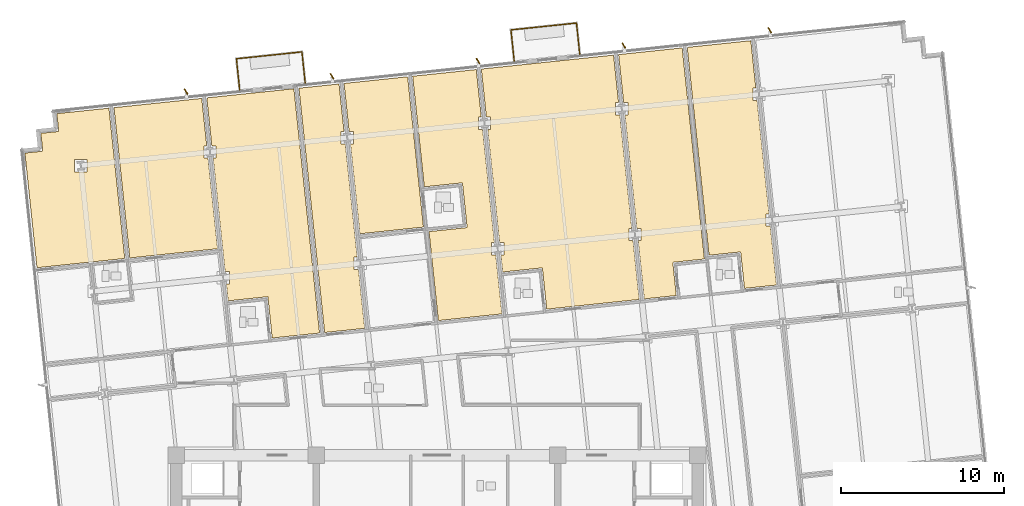
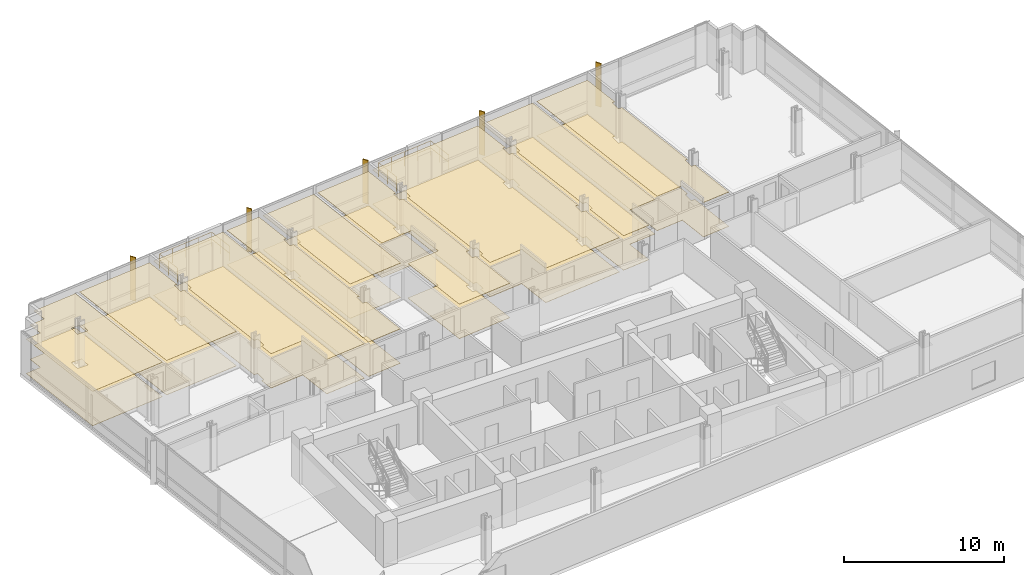
# One storey, part 18 of 20: 18 coverings, 6 railings, 5 shading devices.
"""IFC4 building model written with IfcOpenShell, lengths in metres."""

import ifcopenshell
import ifcopenshell.guid

model = None  # the IFC model being written
_history = None  # IfcOwnerHistory: only IFC2X3 demands one
_inside = {}  # id of a spatial element -> (the spatial element, [elements in it])
_under = {}  # id of a project, library or spatial element -> (it, [spatial elements below it])
_declared = {}  # id of a project -> (the project, [libraries it declares])
_typed = {}  # id of a type object -> (the type object, [elements of that type])
_made_of = {}  # id of a material, layer set ... -> (it, [elements and type objects made of it])


def new_model(schema):
    """Start an empty IFC model of exactly this schema.

    Asked for "IFC4X3", IfcOpenShell would pick the latest addendum, in which some entities
    have other attributes; the version numbers below select the first issue.
    IFC2X3 requires an IfcOwnerHistory on every rooted entity: one is made here for all.
    """
    global model, _history
    if schema == "IFC4X3":
        model = ifcopenshell.file(schema_version=(4, 3, 0, 0))
    else:
        model = ifcopenshell.file(schema=schema)
    _inside.clear()
    _under.clear()
    _declared.clear()
    _typed.clear()
    _made_of.clear()
    _history = None
    if model.schema == "IFC2X3":
        org = make("IfcOrganization", Name="unknown")
        user = make(
            "IfcPersonAndOrganization",
            ThePerson=make("IfcPerson", FamilyName="unknown"),
            TheOrganization=org,
        )
        app = make(
            "IfcApplication",
            ApplicationDeveloper=org,
            Version="unknown",
            ApplicationFullName="unknown",
            ApplicationIdentifier="unknown",
        )
        _history = make(
            "IfcOwnerHistory",
            OwningUser=user,
            OwningApplication=app,
            ChangeAction="ADDED",
            CreationDate=0,
        )
    return model


def make(cls, **values):
    """One entity of the class cls with the attributes given. An attribute that is None is left unset."""
    return model.create_entity(
        cls, **{name: value for name, value in values.items() if value is not None}
    )


def rooted(cls, **values):
    """An entity with a GlobalId (a new one), such as an element, a storey or a relation."""
    return make(cls, GlobalId=ifcopenshell.guid.new(), OwnerHistory=_history, **values)


def si_unit(unit_type, name, prefix=None):
    """IfcSIUnit, for example si_unit("LENGTHUNIT", "METRE", prefix="MILLI")."""
    return make("IfcSIUnit", UnitType=unit_type, Prefix=prefix, Name=name)


def assignment(units):
    """IfcUnitAssignment: the units of a project."""
    return None if units is None else make("IfcUnitAssignment", Units=units)


def point(xyz):
    """IfcCartesianPoint."""
    return None if xyz is None else make("IfcCartesianPoint", Coordinates=xyz)


def direction(xyz):
    """IfcDirection."""
    return None if xyz is None else make("IfcDirection", DirectionRatios=xyz)


def frame(location, z_axis=None, x_axis=None):
    """IfcAxis2Placement3D, a coordinate frame: its origin and axes. An axis left out is left unset."""
    return make(
        "IfcAxis2Placement3D",
        Location=point(location),
        Axis=direction(z_axis),
        RefDirection=direction(x_axis),
    )


def frame_2d(location, x_axis=None):
    """IfcAxis2Placement2D, a coordinate frame in the plane: its origin and x axis."""
    return make(
        "IfcAxis2Placement2D", Location=point(location), RefDirection=direction(x_axis)
    )


def origin():
    """The frame at (0, 0, 0) with its axes left unset."""
    return frame((0.0, 0.0, 0.0))


def origin_2d():
    """The frame at (0, 0) in the plane with its x axis left unset."""
    return frame_2d((0.0, 0.0))


def place(relative_to, where):
    """IfcLocalPlacement: puts the frame where relative to a parent placement (None: the world)."""
    return make(
        "IfcLocalPlacement", PlacementRelTo=relative_to, RelativePlacement=where
    )


def context(
    kind, dimensions, precision=None, world=None, true_north=None, identifier=None
):
    """IfcGeometricRepresentationContext, for example the 3D "Model" context."""
    return make(
        "IfcGeometricRepresentationContext",
        ContextIdentifier=identifier,
        ContextType=kind,
        CoordinateSpaceDimension=dimensions,
        Precision=precision,
        WorldCoordinateSystem=world,
        TrueNorth=true_north,
    )


def subcontext(parent, identifier, kind, view, scale=None):
    """IfcGeometricRepresentationSubContext, for example "Body" below "Model"."""
    return make(
        "IfcGeometricRepresentationSubContext",
        ContextIdentifier=identifier,
        ContextType=kind,
        ParentContext=parent,
        TargetScale=scale,
        TargetView=view,
    )


def project(units=None, contexts=None):
    """IfcProject with its units and contexts."""
    return rooted(
        "IfcProject",
        Name="project",
        RepresentationContexts=contexts,
        UnitsInContext=assignment(units),
    )


def spatial(cls, under=None, at=None, **own):
    """A site, building, storey or space (cls), placed at a placement, below another one or the project."""
    s = rooted(cls, ObjectPlacement=at, **own)
    if under is not None:
        _under.setdefault(under.id(), (under, []))[1].append(s)
    return s


def polyline(points):
    """IfcPolyline through the points."""
    return make("IfcPolyline", Points=[point(p) for p in points])


def profile(cls, at=None, kind="AREA", **sizes):
    """A parametric profile (cls). Its sizes go by their IFC names, for example OverallWidth=200.0."""
    return make(cls, ProfileType=kind, Position=at, **sizes)


def rectangle(**sizes):
    """IfcRectangleProfileDef."""
    return profile("IfcRectangleProfileDef", **sizes)


def circle(**sizes):
    """IfcCircleProfileDef."""
    return profile("IfcCircleProfileDef", **sizes)


def outline(outer, holes=None, kind="AREA"):
    """IfcArbitraryClosedProfileDef: a profile drawn as a closed curve; with holes, ...WithVoids."""
    if holes is None:
        return make("IfcArbitraryClosedProfileDef", ProfileType=kind, OuterCurve=outer)
    return make(
        "IfcArbitraryProfileDefWithVoids",
        ProfileType=kind,
        OuterCurve=outer,
        InnerCurves=holes,
    )


def extrude(swept, where, along, depth):
    """IfcExtrudedAreaSolid: the profile swept, set in the frame where, extruded along a direction by depth."""
    return make(
        "IfcExtrudedAreaSolid",
        SweptArea=swept,
        Position=where,
        ExtrudedDirection=direction(along),
        Depth=depth,
    )


def shape(context_of_items, identifier, shape_type, items):
    """IfcShapeRepresentation: the items that make up one representation, for example the "Body"."""
    return make(
        "IfcShapeRepresentation",
        ContextOfItems=context_of_items,
        RepresentationIdentifier=identifier,
        RepresentationType=shape_type,
        Items=items,
    )


def material(Name=None, Category=None):
    """IfcMaterial."""
    return make("IfcMaterial", Name=Name, Category=Category)


def layer(
    of_material, thickness, ventilated=None, Name=None, Category=None, Priority=None
):
    """IfcMaterialLayer: one layer of a wall or slab, of a material (None: an air gap)."""
    return make(
        "IfcMaterialLayer",
        Material=of_material,
        LayerThickness=thickness,
        IsVentilated=ventilated,
        Name=Name,
        Category=Category,
        Priority=Priority,
    )


def layer_set(layers, Name=None):
    """IfcMaterialLayerSet."""
    return make("IfcMaterialLayerSet", MaterialLayers=layers, LayerSetName=Name)


def made_of(thing, what):
    """Note that an element or type object is made of a material, layer set ...; save() writes the relation."""
    if what is not None:
        _made_of.setdefault(what.id(), (what, []))[1].append(thing)
    return thing


def type_object(cls, material=None, **own):
    """A type object (cls), such as IfcWallType, which elements share."""
    return made_of(rooted(cls, **own), material)


def element(
    cls,
    number,
    at=None,
    inside=None,
    cuts=None,
    type_object=None,
    material=None,
    context=None,
    identifier="Body",
    shape_type=None,
    held_by="IfcProductDefinitionShape",
    body=None,
    shapes=None,
    **own,
):
    """One element of the class cls, such as IfcWall. Its Tag is "e" and its number.

    at: its placement. inside: the storey or other place that contains it. cuts: it is an
    opening in that element (IfcRelVoidsElement). A single representation is given by context,
    identifier, shape_type and body (its items); several are given by shapes. held_by: the class
    of the entity that holds the representations. save() writes the other relations.
    """
    e = rooted(cls, Tag="e%d" % number, ObjectPlacement=at, **own)
    if body is not None:
        shapes = [shape(context, identifier, shape_type, body)]
    if shapes is not None:
        e.Representation = make(held_by, Representations=shapes)
    if inside is not None:
        _inside.setdefault(inside.id(), (inside, []))[1].append(e)
    if cuts is not None:
        rooted(
            "IfcRelVoidsElement", RelatingBuildingElement=cuts, RelatedOpeningElement=e
        )
    if type_object is not None:
        _typed.setdefault(type_object.id(), (type_object, []))[1].append(e)
    return made_of(e, material)


def aggregate(whole, parts):
    """IfcRelAggregates: a whole, such as a stair, and the parts it consists of."""
    return rooted("IfcRelAggregates", RelatingObject=whole, RelatedObjects=parts)


def save(model, path):
    """Write the relations noted so far, then the file.

    IfcRelAggregates (storeys below a building ...), IfcRelContainedInSpatialStructure (elements
    in a storey), IfcRelDefinesByType, IfcRelAssociatesMaterial and IfcRelDeclares: one each for
    every whole, place, type object, material and project.
    """
    for whole, parts in _under.values():
        aggregate(whole, parts)
    for where, things in _inside.values():
        rooted(
            "IfcRelContainedInSpatialStructure",
            RelatedElements=things,
            RelatingStructure=where,
        )
    for kind, things in _typed.values():
        rooted("IfcRelDefinesByType", RelatedObjects=things, RelatingType=kind)
    for what, things in _made_of.values():
        rooted("IfcRelAssociatesMaterial", RelatedObjects=things, RelatingMaterial=what)
    for by, libraries in _declared.values():
        rooted("IfcRelDeclares", RelatingContext=by, RelatedDefinitions=libraries)
    model.write(path)


model = new_model("IFC4")

# Units and contexts
model_context = context("Model", 3, precision=1e-05, world=origin(), true_north=direction((0.0, 1.0)))
body_context = subcontext(model_context, "Body", "Model", "MODEL_VIEW")
ifc_project = project(units=[si_unit("LENGTHUNIT", "METRE"), si_unit("AREAUNIT", "SQUARE_METRE"), si_unit("VOLUMEUNIT", "CUBIC_METRE"), si_unit("PLANEANGLEUNIT", "RADIAN"), si_unit("MASSUNIT", "GRAM", prefix="KILO")], contexts=[model_context])

# Site, building, storey
site_placement = place(None, origin())
site = spatial("IfcSite", under=ifc_project, at=site_placement, CompositionType="ELEMENT")
building_placement = place(site_placement, origin())
building = spatial("IfcBuilding", under=site, at=building_placement, Name="Solmavex Isthmus Hotel", CompositionType="ELEMENT")
storey_placement = place(building_placement, frame((0.0, 0.0, 87.0)))
storey = spatial("IfcBuildingStorey", under=building, at=storey_placement, Name="L23", CompositionType="ELEMENT", Elevation=87.0)

# Coverings
ifc_material_1 = material(Name="Gypsum plasterboard lining", Category="gypsum")
ifc_layer_1 = layer(ifc_material_1, 0.030029296875)
ifc_layer_set_1 = layer_set([ifc_layer_1], Name="Gypsum plasterboard lining")
covering_type_1 = type_object("IfcCoveringType", Name="COV-CEIL-GYP", PredefinedType="CEILING", material=ifc_layer_set_1)
covering_1_placement = place(storey_placement, frame((0.0, 0.0, 2.6201171875)))
element("IfcCovering", 1, at=covering_1_placement, inside=storey, type_object=covering_type_1, Name="Suspended Acoustic Ceiling L23-TB01", PredefinedType="CEILING", context=body_context, shape_type="SweptSolid", body=[
    extrude(outline(polyline([(-25.276123046875, 16.030029296875), (-25.18994140625, 15.20947265625), (-24.536865234375, 8.996826171875), (-19.152587890625, 9.562744140625), (-20.121826171875, 18.783935546875), (-22.49755859375, 18.5341796875), (-23.318115234375, 18.447998046875), (-23.203125, 17.35400390625), (-24.297119140625, 17.239013671875), (-24.18212890625, 16.14501953125), (-25.276123046875, 16.030029296875)]), holes=[polyline([(-22.231689453125, 14.878662109375), (-22.231689453125, 15.638671875), (-21.4716796875, 15.638671875), (-21.4716796875, 14.878662109375), (-22.231689453125, 14.878662109375)])]), origin(), (0.0, 0.0, 1.0), 0.02978515625),
])
covering_2_placement = place(storey_placement, frame((0.0, 0.0, 2.6201171875)))
element("IfcCovering", 2, at=covering_2_placement, inside=storey, type_object=covering_type_1, Name="Suspended Acoustic Ceiling L23-TL01", PredefinedType="CEILING", context=body_context, shape_type="SweptSolid", body=[
    extrude(outline(polyline([(-14.043212890625, 15.711669921875), (-14.307373046875, 15.711669921875), (-14.307373046875, 16.4716796875), (-14.123291015625, 16.4716796875), (-14.42919921875, 19.38232421875), (-19.8134765625, 18.81640625), (-18.84423828125, 9.59521484375), (-13.4599609375, 10.1611328125), (-14.043212890625, 15.711669921875)])), origin(), (0.0, 0.0, 1.0), 0.02978515625),
])
covering_3_placement = place(storey_placement, frame((0.0, 0.0, 2.6201171875)))
element("IfcCovering", 3, at=covering_3_placement, inside=storey, type_object=covering_type_1, Name="Suspended Acoustic Ceiling L23-RM02", PredefinedType="CEILING", context=body_context, shape_type="SweptSolid", body=[
    extrude(outline(polyline([(-13.8115234375, 16.4716796875), (-13.54736328125, 16.4716796875), (-13.54736328125, 15.711669921875), (-13.731689453125, 15.711669921875), (-13.233154296875, 10.97021484375), (-13.001220703125, 8.76220703125), (-12.737060546875, 8.76220703125), (-12.737060546875, 8.002197265625), (-12.92138671875, 8.002197265625), (-12.81201171875, 6.963134765625), (-10.37548828125, 7.21923828125), (-10.10888671875, 4.683349609375), (-7.201904296875, 4.98876953125), (-8.777099609375, 19.976318359375), (-14.120849609375, 19.41455078125), (-13.8115234375, 16.4716796875)])), origin(), (0.0, 0.0, 1.0), 0.02978515625),
])
covering_4_placement = place(storey_placement, frame((0.0, 0.0, 2.6201171875)))
element("IfcCovering", 4, at=covering_4_placement, inside=storey, type_object=covering_type_1, Name="Suspended Acoustic Ceiling L23-RM03", PredefinedType="CEILING", context=body_context, shape_type="SweptSolid", body=[
    extrude(outline(polyline([(-5.623779296875, 16.5966796875), (-5.8876953125, 16.5966796875), (-5.8876953125, 17.356689453125), (-5.70361328125, 17.356689453125), (-6.009521484375, 20.26708984375), (-8.468994140625, 20.0087890625), (-6.8935546875, 5.021240234375), (-4.434326171875, 5.27978515625), (-4.8134765625, 8.886962890625), (-5.077392578125, 8.886962890625), (-5.077392578125, 9.64697265625), (-4.893310546875, 9.64697265625), (-5.623779296875, 16.5966796875)])), origin(), (0.0, 0.0, 1.0), 0.02978515625),
])
covering_5_placement = place(storey_placement, frame((0.0, 0.0, 2.6201171875)))
element("IfcCovering", 5, at=covering_5_placement, inside=storey, type_object=covering_type_1, Name="Suspended Acoustic Ceiling L23-SL04-BD", PredefinedType="CEILING", context=body_context, shape_type="SweptSolid", body=[
    extrude(outline(polyline([(-5.391845703125, 17.356689453125), (-5.127685546875, 17.356689453125), (-5.127685546875, 16.5966796875), (-5.31201171875, 16.5966796875), (-4.73193359375, 11.078369140625), (-0.83056640625, 11.488525390625), (-1.799560546875, 20.709716796875), (-5.701171875, 20.299560546875), (-5.391845703125, 17.356689453125)])), origin(), (0.0, 0.0, 1.0), 0.02978515625),
])
covering_6_placement = place(storey_placement, frame((0.0, 0.0, 2.6201171875)))
element("IfcCovering", 6, at=covering_6_placement, inside=storey, type_object=covering_type_1, Name="Suspended Acoustic Ceiling L23-SV04", PredefinedType="CEILING", context=body_context, shape_type="SweptSolid", body=[
    extrude(outline(polyline([(-0.48974609375, 11.212646484375), (0.083984375, 5.754638671875), (3.9853515625, 6.16455078125), (3.606201171875, 9.77197265625), (3.34228515625, 9.77197265625), (3.34228515625, 10.531982421875), (3.5263671875, 10.531982421875), (2.7958984375, 17.4814453125), (2.53173828125, 17.4814453125), (2.53173828125, 18.241455078125), (2.716064453125, 18.241455078125), (2.41015625, 21.152099609375), (-1.491455078125, 20.741943359375), (-0.7783203125, 13.95751953125), (1.558837890625, 14.203125), (1.847412109375, 11.458251953125), (-0.48974609375, 11.212646484375)])), origin(), (0.0, 0.0, 1.0), 0.02978515625),
])
covering_7_placement = place(storey_placement, frame((0.0, 0.0, 2.6201171875)))
element("IfcCovering", 7, at=covering_7_placement, inside=storey, type_object=covering_type_1, Name="Suspended Acoustic Ceiling L23-RM05", PredefinedType="CEILING", context=body_context, shape_type="SweptSolid", body=[
    extrude(outline(polyline([(3.838134765625, 10.531982421875), (4.10205078125, 10.531982421875), (4.10205078125, 9.77197265625), (3.91796875, 9.77197265625), (4.027099609375, 8.733154296875), (6.463623046875, 8.9892578125), (6.730224609375, 6.453125), (12.405029296875, 7.049560546875), (12.02587890625, 10.656982421875), (11.76171875, 10.656982421875), (11.76171875, 11.4169921875), (11.946044921875, 11.4169921875), (11.215576171875, 18.366455078125), (10.951416015625, 18.366455078125), (10.951416015625, 19.12646484375), (11.1357421875, 19.12646484375), (10.829833984375, 22.037109375), (2.718505859375, 21.1845703125), (2.740966796875, 20.970703125), (3.02783203125, 18.241455078125), (3.291748046875, 18.241455078125), (3.291748046875, 17.4814453125), (3.107666015625, 17.4814453125), (3.838134765625, 10.531982421875)])), origin(), (0.0, 0.0, 1.0), 0.02978515625),
])
covering_8_placement = place(storey_placement, frame((0.0, 0.0, 2.6201171875)))
element("IfcCovering", 8, at=covering_8_placement, inside=storey, type_object=covering_type_1, Name="Suspended Acoustic Ceiling L23-RM06", PredefinedType="CEILING", context=body_context, shape_type="SweptSolid", body=[
    extrude(outline(polyline([(12.2578125, 11.4169921875), (12.521728515625, 11.4169921875), (12.521728515625, 10.656982421875), (12.337646484375, 10.656982421875), (12.71337890625, 7.08203125), (14.67822265625, 7.28857421875), (14.464111328125, 9.327392578125), (16.400634765625, 9.53076171875), (15.03955078125, 22.4794921875), (11.13818359375, 22.0693359375), (11.447509765625, 19.12646484375), (11.71142578125, 19.12646484375), (11.71142578125, 18.366455078125), (11.52734375, 18.366455078125), (12.2578125, 11.4169921875)])), origin(), (0.0, 0.0, 1.0), 0.02978515625),
])
covering_9_placement = place(storey_placement, frame((0.0, 0.0, 2.6201171875)))
element("IfcCovering", 9, at=covering_9_placement, inside=storey, type_object=covering_type_1, Name="Suspended Acoustic Ceiling L23-RM07", PredefinedType="CEILING", context=body_context, shape_type="SweptSolid", body=[
    extrude(outline(polyline([(19.63525390625, 19.25146484375), (19.37109375, 19.25146484375), (19.37109375, 20.011474609375), (19.555419921875, 20.011474609375), (19.24951171875, 22.921875), (15.347900390625, 22.511962890625), (16.68798828125, 9.76220703125), (18.62451171875, 9.965576171875), (18.859619140625, 7.72802734375), (20.82470703125, 7.9345703125), (20.445556640625, 11.541748046875), (20.181396484375, 11.541748046875), (20.181396484375, 12.3017578125), (20.36572265625, 12.3017578125), (19.63525390625, 19.25146484375)])), origin(), (0.0, 0.0, 1.0), 0.02978515625),
])
ifc_material_2 = material(Name="Travertine natural stone", Category="masonry")
ifc_layer_2 = layer(ifc_material_2, 0.02490234375)
ifc_layer_set_2 = layer_set([ifc_layer_2], Name="Travertine natural stone")
covering_type_2 = type_object("IfcCoveringType", Name="COV-FLOR-STN", PredefinedType="FLOORING", material=ifc_layer_set_2)
covering_10_placement = place(storey_placement, origin())
element("IfcCovering", 10, at=covering_10_placement, inside=storey, type_object=covering_type_2, Name="Stone and Timber Floor Finish L23-TB01", PredefinedType="FLOORING", context=body_context, shape_type="SweptSolid", body=[
    extrude(outline(polyline([(-25.276123046875, 16.030029296875), (-25.18994140625, 15.20947265625), (-24.536865234375, 8.996826171875), (-19.152587890625, 9.562744140625), (-20.121826171875, 18.783935546875), (-22.49755859375, 18.5341796875), (-23.318115234375, 18.447998046875), (-23.203125, 17.35400390625), (-24.297119140625, 17.239013671875), (-24.18212890625, 16.14501953125), (-25.276123046875, 16.030029296875)]), holes=[polyline([(-22.231689453125, 14.878662109375), (-22.231689453125, 15.638671875), (-21.4716796875, 15.638671875), (-21.4716796875, 14.878662109375), (-22.231689453125, 14.878662109375)])]), origin(), (0.0, 0.0, 1.0), 0.02490234375),
])
covering_11_placement = place(storey_placement, origin())
element("IfcCovering", 11, at=covering_11_placement, inside=storey, type_object=covering_type_2, Name="Stone and Timber Floor Finish L23-TL01", PredefinedType="FLOORING", context=body_context, shape_type="SweptSolid", body=[
    extrude(outline(polyline([(-14.043212890625, 15.711669921875), (-14.307373046875, 15.711669921875), (-14.307373046875, 16.4716796875), (-14.123291015625, 16.4716796875), (-14.42919921875, 19.38232421875), (-19.8134765625, 18.81640625), (-18.84423828125, 9.59521484375), (-13.4599609375, 10.1611328125), (-14.043212890625, 15.711669921875)])), origin(), (0.0, 0.0, 1.0), 0.02490234375),
])
covering_12_placement = place(storey_placement, origin())
element("IfcCovering", 12, at=covering_12_placement, inside=storey, type_object=covering_type_2, Name="Stone and Timber Floor Finish L23-RM02", PredefinedType="FLOORING", context=body_context, shape_type="SweptSolid", body=[
    extrude(outline(polyline([(-13.8115234375, 16.4716796875), (-13.54736328125, 16.4716796875), (-13.54736328125, 15.711669921875), (-13.731689453125, 15.711669921875), (-13.233154296875, 10.97021484375), (-13.001220703125, 8.76220703125), (-12.737060546875, 8.76220703125), (-12.737060546875, 8.002197265625), (-12.92138671875, 8.002197265625), (-12.81201171875, 6.963134765625), (-10.37548828125, 7.21923828125), (-10.10888671875, 4.683349609375), (-7.201904296875, 4.98876953125), (-8.777099609375, 19.976318359375), (-14.120849609375, 19.41455078125), (-13.8115234375, 16.4716796875)])), origin(), (0.0, 0.0, 1.0), 0.02490234375),
])
covering_13_placement = place(storey_placement, origin())
element("IfcCovering", 13, at=covering_13_placement, inside=storey, type_object=covering_type_2, Name="Stone and Timber Floor Finish L23-RM03", PredefinedType="FLOORING", context=body_context, shape_type="SweptSolid", body=[
    extrude(outline(polyline([(-5.623779296875, 16.5966796875), (-5.8876953125, 16.5966796875), (-5.8876953125, 17.356689453125), (-5.70361328125, 17.356689453125), (-6.009521484375, 20.26708984375), (-8.468994140625, 20.0087890625), (-6.8935546875, 5.021240234375), (-4.434326171875, 5.27978515625), (-4.8134765625, 8.886962890625), (-5.077392578125, 8.886962890625), (-5.077392578125, 9.64697265625), (-4.893310546875, 9.64697265625), (-5.623779296875, 16.5966796875)])), origin(), (0.0, 0.0, 1.0), 0.02490234375),
])
covering_14_placement = place(storey_placement, origin())
element("IfcCovering", 14, at=covering_14_placement, inside=storey, type_object=covering_type_2, Name="Stone and Timber Floor Finish L23-SL04-BD", PredefinedType="FLOORING", context=body_context, shape_type="SweptSolid", body=[
    extrude(outline(polyline([(-5.391845703125, 17.356689453125), (-5.127685546875, 17.356689453125), (-5.127685546875, 16.5966796875), (-5.31201171875, 16.5966796875), (-4.73193359375, 11.078369140625), (-0.83056640625, 11.488525390625), (-1.799560546875, 20.709716796875), (-5.701171875, 20.299560546875), (-5.391845703125, 17.356689453125)])), origin(), (0.0, 0.0, 1.0), 0.02490234375),
])
covering_15_placement = place(storey_placement, origin())
element("IfcCovering", 15, at=covering_15_placement, inside=storey, type_object=covering_type_2, Name="Stone and Timber Floor Finish L23-SV04", PredefinedType="FLOORING", context=body_context, shape_type="SweptSolid", body=[
    extrude(outline(polyline([(-0.48974609375, 11.212646484375), (0.083984375, 5.754638671875), (3.9853515625, 6.16455078125), (3.606201171875, 9.77197265625), (3.34228515625, 9.77197265625), (3.34228515625, 10.531982421875), (3.5263671875, 10.531982421875), (2.7958984375, 17.4814453125), (2.53173828125, 17.4814453125), (2.53173828125, 18.241455078125), (2.716064453125, 18.241455078125), (2.41015625, 21.152099609375), (-1.491455078125, 20.741943359375), (-0.7783203125, 13.95751953125), (1.558837890625, 14.203125), (1.847412109375, 11.458251953125), (-0.48974609375, 11.212646484375)])), origin(), (0.0, 0.0, 1.0), 0.02490234375),
])
covering_16_placement = place(storey_placement, origin())
element("IfcCovering", 16, at=covering_16_placement, inside=storey, type_object=covering_type_2, Name="Stone and Timber Floor Finish L23-RM05", PredefinedType="FLOORING", context=body_context, shape_type="SweptSolid", body=[
    extrude(outline(polyline([(3.838134765625, 10.531982421875), (4.10205078125, 10.531982421875), (4.10205078125, 9.77197265625), (3.91796875, 9.77197265625), (4.027099609375, 8.733154296875), (6.463623046875, 8.9892578125), (6.730224609375, 6.453125), (12.405029296875, 7.049560546875), (12.02587890625, 10.656982421875), (11.76171875, 10.656982421875), (11.76171875, 11.4169921875), (11.946044921875, 11.4169921875), (11.215576171875, 18.366455078125), (10.951416015625, 18.366455078125), (10.951416015625, 19.12646484375), (11.1357421875, 19.12646484375), (10.829833984375, 22.037109375), (2.718505859375, 21.1845703125), (2.740966796875, 20.970703125), (3.02783203125, 18.241455078125), (3.291748046875, 18.241455078125), (3.291748046875, 17.4814453125), (3.107666015625, 17.4814453125), (3.838134765625, 10.531982421875)])), origin(), (0.0, 0.0, 1.0), 0.02490234375),
])
covering_17_placement = place(storey_placement, origin())
element("IfcCovering", 17, at=covering_17_placement, inside=storey, type_object=covering_type_2, Name="Stone and Timber Floor Finish L23-RM06", PredefinedType="FLOORING", context=body_context, shape_type="SweptSolid", body=[
    extrude(outline(polyline([(12.2578125, 11.4169921875), (12.521728515625, 11.4169921875), (12.521728515625, 10.656982421875), (12.337646484375, 10.656982421875), (12.71337890625, 7.08203125), (14.67822265625, 7.28857421875), (14.464111328125, 9.327392578125), (16.400634765625, 9.53076171875), (15.03955078125, 22.4794921875), (11.13818359375, 22.0693359375), (11.447509765625, 19.12646484375), (11.71142578125, 19.12646484375), (11.71142578125, 18.366455078125), (11.52734375, 18.366455078125), (12.2578125, 11.4169921875)])), origin(), (0.0, 0.0, 1.0), 0.02490234375),
])
covering_18_placement = place(storey_placement, origin())
element("IfcCovering", 18, at=covering_18_placement, inside=storey, type_object=covering_type_2, Name="Stone and Timber Floor Finish L23-RM07", PredefinedType="FLOORING", context=body_context, shape_type="SweptSolid", body=[
    extrude(outline(polyline([(19.63525390625, 19.25146484375), (19.37109375, 19.25146484375), (19.37109375, 20.011474609375), (19.555419921875, 20.011474609375), (19.24951171875, 22.921875), (15.347900390625, 22.511962890625), (16.68798828125, 9.76220703125), (18.62451171875, 9.965576171875), (18.859619140625, 7.72802734375), (20.82470703125, 7.9345703125), (20.445556640625, 11.541748046875), (20.181396484375, 11.541748046875), (20.181396484375, 12.3017578125), (20.36572265625, 12.3017578125), (19.63525390625, 19.25146484375)])), origin(), (0.0, 0.0, 1.0), 0.02490234375),
])

# Railings
ifc_material_3 = material(Name="Clear low-E laminated glass", Category="glass")
ifc_layer_3 = layer(ifc_material_3, 0.070068359375)
ifc_layer_set_3 = layer_set([ifc_layer_3], Name="Clear low-E laminated glass")
railing_type = type_object("IfcRailingType", Name="RAIL-GUARD-1100", PredefinedType="BALUSTRADE", material=ifc_layer_set_3)
railing_1_placement = place(storey_placement, frame((-12.102783203125, 19.9033203125, 0.0)))
element("IfcRailing", 19, at=railing_1_placement, inside=storey, type_object=railing_type, Name="Guardrail Balustrade L23-BAL1-01", PredefinedType="BALUSTRADE", context=body_context, shape_type="SweptSolid", body=[
    extrude(circle(Radius=0.02392578125, at=origin_2d()), frame((0.0, 0.0, 1.09619140625), z_axis=(-0.104525919671, 0.994522162708, 0.0), x_axis=(-0.994522162708, -0.104525919671, 0.0)), (0.0, 0.0, 1.0), 1.919921875),
    extrude(circle(Radius=0.02392578125, at=origin_2d()), frame((0.0, 0.0, 0.56005859375), z_axis=(-0.104525919671, 0.994522162708, 0.0), x_axis=(-0.994522162708, -0.104525919671, 0.0)), (0.0, 0.0, 1.0), 1.919921875),
    extrude(circle(Radius=0.02099609375, at=origin_2d()), origin(), (0.0, 0.0, 1.0), 1.072021484375),
    extrude(circle(Radius=0.02099609375, at=origin_2d()), frame((-0.100341796875, 0.95458984375, 0.0)), (0.0, 0.0, 1.0), 1.072021484375),
    extrude(circle(Radius=0.02099609375, at=origin_2d()), frame((-0.20068359375, 1.909423828125, 0.0)), (0.0, 0.0, 1.0), 1.072021484375),
])
railing_2_placement = place(storey_placement, frame((-12.303466796875, 21.812744140625, 0.0)))
element("IfcRailing", 20, at=railing_2_placement, inside=storey, type_object=railing_type, Name="Guardrail Balustrade L23-BAL1-02", PredefinedType="BALUSTRADE", context=body_context, shape_type="SweptSolid", body=[
    extrude(circle(Radius=0.02392578125, at=origin_2d()), frame((0.0, 0.0, 1.09619140625), z_axis=(0.994520013058, 0.104546370699, 0.0), x_axis=(-0.104546370699, 0.994520013058, 0.0)), (0.0, 0.0, 1.0), 4.0400390625),
    extrude(circle(Radius=0.02392578125, at=origin_2d()), frame((0.0, 0.0, 0.56005859375), z_axis=(0.994520013058, 0.104546370699, 0.0), x_axis=(-0.104546370699, 0.994520013058, 0.0)), (0.0, 0.0, 1.0), 4.0400390625),
    extrude(circle(Radius=0.02099609375, at=origin_2d()), origin(), (0.0, 0.0, 1.0), 1.072021484375),
    extrude(circle(Radius=0.02099609375, at=origin_2d()), frame((1.00439453125, 0.10546875, 0.0)), (0.0, 0.0, 1.0), 1.072021484375),
    extrude(circle(Radius=0.02099609375, at=origin_2d()), frame((2.0087890625, 0.211181640625, 0.0)), (0.0, 0.0, 1.0), 1.072021484375),
    extrude(circle(Radius=0.02099609375, at=origin_2d()), frame((3.013427734375, 0.31689453125, 0.0)), (0.0, 0.0, 1.0), 1.072021484375),
    extrude(circle(Radius=0.02099609375, at=origin_2d()), frame((4.017822265625, 0.42236328125, 0.0)), (0.0, 0.0, 1.0), 1.072021484375),
])
railing_3_placement = place(storey_placement, frame((-8.28564453125, 22.235107421875, 0.0)))
element("IfcRailing", 21, at=railing_3_placement, inside=storey, type_object=railing_type, Name="Guardrail Balustrade L23-BAL1-03", PredefinedType="BALUSTRADE", context=body_context, shape_type="SweptSolid", body=[
    extrude(circle(Radius=0.02392578125, at=origin_2d()), frame((0.0, 0.0, 1.09619140625), z_axis=(0.104512702575, -0.994523551758, 0.0), x_axis=(0.994523551758, 0.104512702575, 0.0)), (0.0, 0.0, 1.0), 1.920166015625),
    extrude(circle(Radius=0.02392578125, at=origin_2d()), frame((0.0, 0.0, 0.56005859375), z_axis=(0.104512702575, -0.994523551758, 0.0), x_axis=(0.994523551758, 0.104512702575, 0.0)), (0.0, 0.0, 1.0), 1.920166015625),
    extrude(circle(Radius=0.02099609375, at=origin_2d()), origin(), (0.0, 0.0, 1.0), 1.072021484375),
    extrude(circle(Radius=0.02099609375, at=origin_2d()), frame((0.100341796875, -0.954833984375, 0.0)), (0.0, 0.0, 1.0), 1.072021484375),
    extrude(circle(Radius=0.02099609375, at=origin_2d()), frame((0.20068359375, -1.90966796875, 0.0)), (0.0, 0.0, 1.0), 1.072021484375),
])
railing_4_placement = place(storey_placement, frame((4.736328125, 21.673095703125, 0.0)))
element("IfcRailing", 22, at=railing_4_placement, inside=storey, type_object=railing_type, Name="Guardrail Balustrade L23-BAL2-01", PredefinedType="BALUSTRADE", context=body_context, shape_type="SweptSolid", body=[
    extrude(circle(Radius=0.02392578125, at=origin_2d()), frame((0.0, 0.0, 1.09619140625), z_axis=(-0.104525919671, 0.994522162708, 0.0), x_axis=(-0.994522162708, -0.104525919671, 0.0)), (0.0, 0.0, 1.0), 1.919921875),
    extrude(circle(Radius=0.02392578125, at=origin_2d()), frame((0.0, 0.0, 0.56005859375), z_axis=(-0.104525919671, 0.994522162708, 0.0), x_axis=(-0.994522162708, -0.104525919671, 0.0)), (0.0, 0.0, 1.0), 1.919921875),
    extrude(circle(Radius=0.02099609375, at=origin_2d()), origin(), (0.0, 0.0, 1.0), 1.072021484375),
    extrude(circle(Radius=0.02099609375, at=origin_2d()), frame((-0.100341796875, 0.95458984375, 0.0)), (0.0, 0.0, 1.0), 1.072021484375),
    extrude(circle(Radius=0.02099609375, at=origin_2d()), frame((-0.20068359375, 1.909423828125, 0.0)), (0.0, 0.0, 1.0), 1.072021484375),
])
railing_5_placement = place(storey_placement, frame((4.53564453125, 23.58251953125, 0.0)))
element("IfcRailing", 23, at=railing_5_placement, inside=storey, type_object=railing_type, Name="Guardrail Balustrade L23-BAL2-02", PredefinedType="BALUSTRADE", context=body_context, shape_type="SweptSolid", body=[
    extrude(circle(Radius=0.02392578125, at=origin_2d()), frame((0.0, 0.0, 1.09619140625), z_axis=(0.994520673511, 0.10454008781, 0.0), x_axis=(-0.10454008781, 0.994520673511, 0.0)), (0.0, 0.0, 1.0), 4.040283203125),
    extrude(circle(Radius=0.02392578125, at=origin_2d()), frame((0.0, 0.0, 0.56005859375), z_axis=(0.994520673511, 0.10454008781, 0.0), x_axis=(-0.10454008781, 0.994520673511, 0.0)), (0.0, 0.0, 1.0), 4.040283203125),
    extrude(circle(Radius=0.02099609375, at=origin_2d()), origin(), (0.0, 0.0, 1.0), 1.072021484375),
    extrude(circle(Radius=0.02099609375, at=origin_2d()), frame((1.00439453125, 0.10546875, 0.0)), (0.0, 0.0, 1.0), 1.072021484375),
    extrude(circle(Radius=0.02099609375, at=origin_2d()), frame((2.009033203125, 0.211181640625, 0.0)), (0.0, 0.0, 1.0), 1.072021484375),
    extrude(circle(Radius=0.02099609375, at=origin_2d()), frame((3.013671875, 0.31689453125, 0.0)), (0.0, 0.0, 1.0), 1.072021484375),
    extrude(circle(Radius=0.02099609375, at=origin_2d()), frame((4.01806640625, 0.42236328125, 0.0)), (0.0, 0.0, 1.0), 1.072021484375),
])
railing_6_placement = place(storey_placement, frame((8.5537109375, 24.0048828125, 0.0)))
element("IfcRailing", 24, at=railing_6_placement, inside=storey, type_object=railing_type, Name="Guardrail Balustrade L23-BAL2-03", PredefinedType="BALUSTRADE", context=body_context, shape_type="SweptSolid", body=[
    extrude(circle(Radius=0.02392578125, at=origin_2d()), frame((0.0, 0.0, 1.09619140625), z_axis=(0.104525919671, -0.994522162708, 0.0), x_axis=(0.994522162708, 0.104525919671, 0.0)), (0.0, 0.0, 1.0), 1.919921875),
    extrude(circle(Radius=0.02392578125, at=origin_2d()), frame((0.0, 0.0, 0.56005859375), z_axis=(0.104525919671, -0.994522162708, 0.0), x_axis=(0.994522162708, 0.104525919671, 0.0)), (0.0, 0.0, 1.0), 1.919921875),
    extrude(circle(Radius=0.02099609375, at=origin_2d()), origin(), (0.0, 0.0, 1.0), 1.072021484375),
    extrude(circle(Radius=0.02099609375, at=origin_2d()), frame((0.100341796875, -0.95458984375, 0.0)), (0.0, 0.0, 1.0), 1.072021484375),
    extrude(circle(Radius=0.02099609375, at=origin_2d()), frame((0.20068359375, -1.909423828125, 0.0)), (0.0, 0.0, 1.0), 1.072021484375),
])

# Shading devices
ifc_material_4 = material(Name="Aluminium alloy 6063-T6", Category="aluminium")
shading_device_type = type_object("IfcShadingDeviceType", Name="SHD-FIN-CHAMP", PredefinedType="USERDEFINED", material=ifc_material_4)
for number, where, z_axis, x_axis, name in (
    (25, (-15.390869140625, 19.799072265625, -0.14013671875), (0.0, 0.0, 1.0), (-0.529919264233, 0.848048096156, 0.0), "Anodised Aluminium Solar Fin L23-N1"),
    (26, (-6.440185546875, 20.73974609375, -0.14013671875), (0.0, 0.0, 1.0), (-0.529919264233, 0.848048096156, 0.0), "Anodised Aluminium Solar Fin L23-N2"),
    (27, (2.510498046875, 21.680419921875, -0.14013671875), (0.0, 0.0, 1.0), (-0.529919264233, 0.848048096156, 0.0), "Anodised Aluminium Solar Fin L23-N3"),
    (28, (11.461181640625, 22.621337890625, -0.14013671875), (0.0, 0.0, 1.0), (-0.529919264233, 0.848048096156, 0.0), "Anodised Aluminium Solar Fin L23-N4"),
    (29, (20.411865234375, 23.56201171875, -0.14013671875), (0.0, 0.0, 1.0), (-0.529919264233, 0.848048096156, 0.0), "Anodised Aluminium Solar Fin L23-N5"),
):
    element("IfcShadingDevice", number, at=place(storey_placement, frame(where, z_axis=z_axis, x_axis=x_axis)), inside=storey, type_object=shading_device_type, Name=name, ObjectType="SOLAR_FIN", PredefinedType="USERDEFINED", context=body_context, shape_type="SweptSolid", body=[
        extrude(rectangle(XDim=0.3798828125, YDim=0.070068359375, at=origin_2d()), origin(), (0.0, 0.0, 1.0), 3.330078125),
    ])

save(model, "model.ifc")
